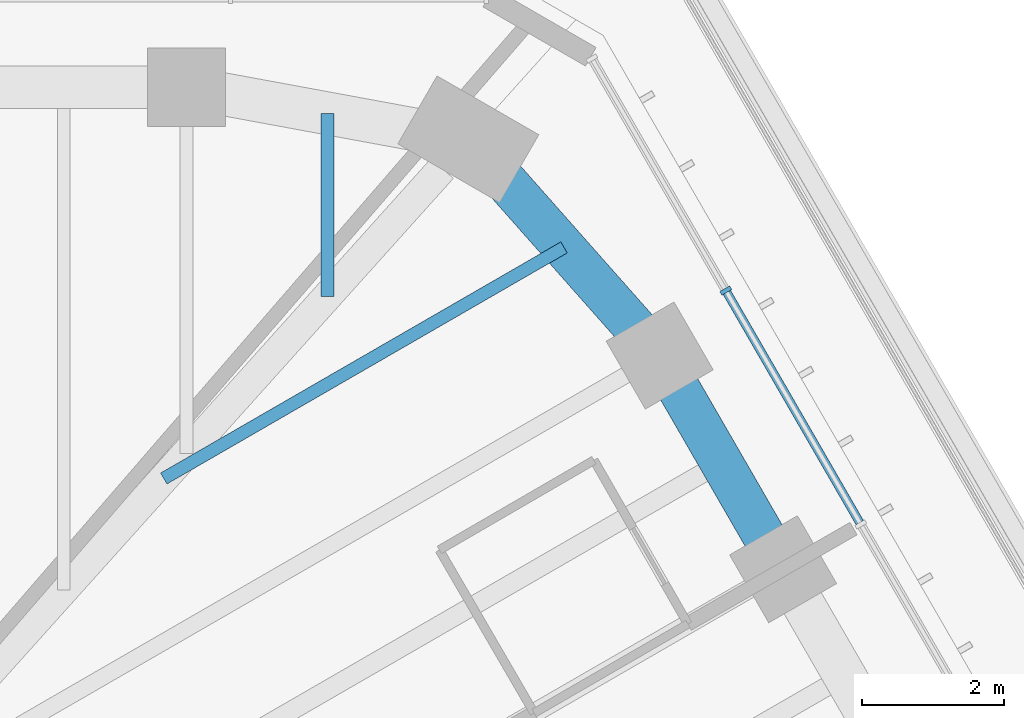
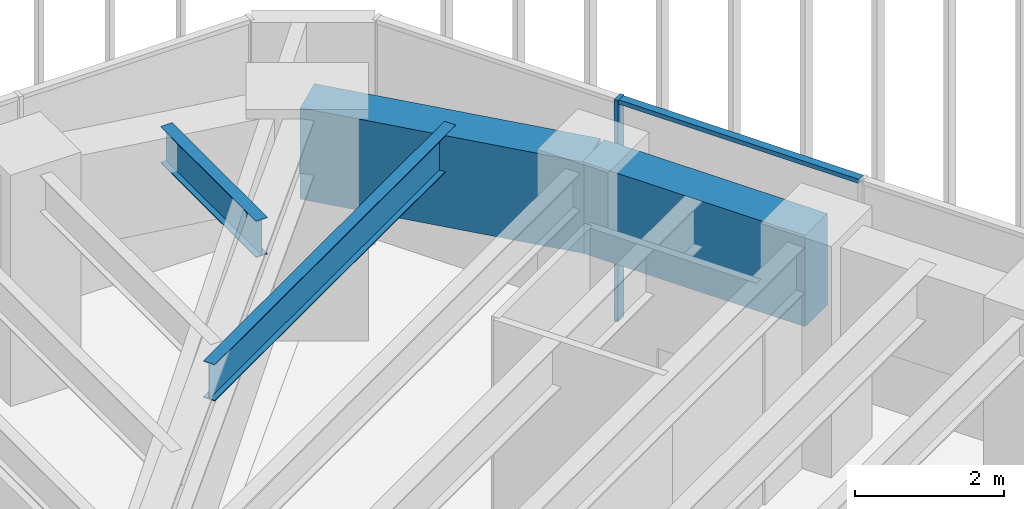
# One storey, part 104 of 127: 4 beams, 2 members, 1 element without a shape of its own.
"""IFC4 building model written with IfcOpenShell, lengths in metres."""

from ifc_helpers import new_model, si_unit, direction, frame, origin, origin_2d, place, context, subcontext, project, spatial, rectangle, i_section, extrude, material, material_profile, profile_set, type_object, element, aggregate, save


model = new_model("IFC4")

# Units and contexts
model_context = context("Model", 3, precision=1e-05, world=origin(), true_north=direction((0.0, 1.0)))
body_context = subcontext(model_context, "Body", "Model", "MODEL_VIEW")
ifc_project = project(units=[si_unit("LENGTHUNIT", "METRE"), si_unit("AREAUNIT", "SQUARE_METRE"), si_unit("VOLUMEUNIT", "CUBIC_METRE"), si_unit("PLANEANGLEUNIT", "RADIAN"), si_unit("MASSUNIT", "GRAM", prefix="KILO")], contexts=[model_context])

# Site, building, storey
site_placement = place(None, origin())
site = spatial("IfcSite", under=ifc_project, at=site_placement, CompositionType="ELEMENT")
building_placement = place(site_placement, origin())
building = spatial("IfcBuilding", under=site, at=building_placement, Name="Sandreach Pilgrim Tower", CompositionType="ELEMENT")
storey_placement = place(building_placement, frame((0.0, 0.0, 257.0)))
storey = spatial("IfcBuildingStorey", under=building, at=storey_placement, Name="L64", CompositionType="ELEMENT", Elevation=257.0)

# Curtain wall, members
ifc_material_1 = material(Name="Aluminium framed curtain wall", Category="aluminium")
curtain_wall_type = type_object("IfcCurtainWallType", Name="Suite tower curtain wall", PredefinedType="NOTDEFINED", material=ifc_material_1)
curtain_wall_placement = place(storey_placement, origin())
curtain_wall = element("IfcCurtainWall", 1, at=curtain_wall_placement, inside=storey, type_object=curtain_wall_type, Name="CW-4 L64 NE", PredefinedType="NOTDEFINED")
ifc_material_2 = material(Name="Aluminium extrusion", Category="aluminium")
ifc_material_profile_1 = material_profile(ifc_material_2, rectangle(XDim=0.06005859375, YDim=0.159912109375, at=origin_2d()), Name="CW-4M 60X160")
ifc_profile_set_1 = profile_set([ifc_material_profile_1], Name="Aluminium extrusion")
member_type_1 = type_object("IfcMemberType", Name="CW-4 mullion", PredefinedType="MULLION", material=ifc_profile_set_1)
member_1_placement = place(storey_placement, frame((19.6318359375, 15.712646484375, 0.0), z_axis=(0.0, 0.0, 1.0), x_axis=(0.5, -0.866025403784, 0.0)))
member_1 = element("IfcMember", 2, at=member_1_placement, type_object=member_type_1, Name="CW-4 mullion 2", PredefinedType="MULLION", context=body_context, shape_type="SweptSolid", body=[
    extrude(rectangle(XDim=0.06005859375, YDim=0.159912109375, at=origin_2d()), origin(), (0.0, 0.0, 1.0), 3.639892578125),
])
ifc_material_3 = material(Name="Aluminium extrusion", Category="aluminium")
ifc_material_profile_2 = material_profile(ifc_material_3, rectangle(XDim=0.1201171875, YDim=0.070068359375, at=origin_2d()), Name="CW-4T 120X70")
ifc_profile_set_2 = profile_set([ifc_material_profile_2], Name="Aluminium extrusion")
member_type_2 = type_object("IfcMemberType", Name="CW-4 transom", PredefinedType="USERDEFINED", material=ifc_profile_set_2)
member_2_placement = place(storey_placement, frame((19.646728515625, 15.686767578125, 3.60498046875), z_axis=(0.500030151002, -0.866007995396, 0.0), x_axis=(0.866007995396, 0.500030151002, 0.0)))
member_2 = element("IfcMember", 3, at=member_2_placement, type_object=member_type_2, Name="CW-4 head transom 2", ObjectType="TRANSOM", PredefinedType="USERDEFINED", context=body_context, shape_type="SweptSolid", body=[
    extrude(rectangle(XDim=0.1201171875, YDim=0.070068359375, at=origin_2d()), origin(), (0.0, 0.0, 1.0), 3.731689453125),
])
aggregate(curtain_wall, [member_1, member_2])

# Beams
ifc_material_4 = material(Name="Steel ASTM A992 Grade 50", Category="steel")
ifc_material_profile_3 = material_profile(ifc_material_4, i_section(OverallWidth=0.1787109375, OverallDepth=0.60205078125, WebThickness=0.010986328125, FlangeThickness=0.014892578125, at=origin_2d()), Name="W24X62")
ifc_profile_set_3 = profile_set([ifc_material_profile_3], Name="Steel ASTM A992 Grade 50")
beam_type_1 = type_object("IfcBeamType", Name="Floor beam W24X62", PredefinedType="BEAM", material=ifc_profile_set_3)
beam_1_placement = place(storey_placement, frame((14.037109375, 18.201904296875, 3.339111328125), z_axis=(0.0, -1.0, 0.0), x_axis=(1.0, 0.0, 0.0)))
element("IfcBeam", 4, at=beam_1_placement, inside=storey, type_object=beam_type_1, Name="BM L64 FM08", PredefinedType="BEAM", context=body_context, shape_type="SweptSolid", body=[
    extrude(i_section(OverallWidth=0.1787109375, OverallDepth=0.60205078125, WebThickness=0.010986328125, FlangeThickness=0.014892578125, at=origin_2d()), origin(), (0.0, 0.0, 1.0), 2.5693359375),
])
beam_2_placement = place(storey_placement, frame((17.360107421875, 16.31884765625, 3.339111328125), z_axis=(-0.866023980233, -0.500002465655, 0.0), x_axis=(0.500002465655, -0.866023980233, 0.0)))
element("IfcBeam", 5, at=beam_2_placement, inside=storey, type_object=beam_type_1, Name="BM L64 FM09", PredefinedType="BEAM", context=body_context, shape_type="SweptSolid", body=[
    extrude(i_section(OverallWidth=0.1787109375, OverallDepth=0.60205078125, WebThickness=0.010986328125, FlangeThickness=0.014892578125, at=origin_2d()), origin(), (0.0, 0.0, 1.0), 6.49072265625),
])
ifc_material_5 = material(Name="Concrete 10000 psi", Category="concrete")
ifc_material_profile_4 = material_profile(ifc_material_5, rectangle(XDim=0.60009765625, YDim=1.5, at=origin_2d()), Name="RC600X1500")
ifc_profile_set_4 = profile_set([ifc_material_profile_4], Name="Concrete 10000 psi")
beam_type_2 = type_object("IfcBeamType", Name="Spandrel beam RC600X1500", PredefinedType="SPANDREL", material=ifc_profile_set_4)
beam_3_placement = place(storey_placement, frame((16.0166015625, 17.837158203125, 2.889892578125), z_axis=(0.662650525414, -0.748928755736, 0.0), x_axis=(0.748928755736, 0.662650525414, 0.0)))
element("IfcBeam", 6, at=beam_3_placement, inside=storey, type_object=beam_type_2, Name="BM L64 SP09", PredefinedType="SPANDREL", context=body_context, shape_type="SweptSolid", body=[
    extrude(rectangle(XDim=0.60009765625, YDim=1.5, at=origin_2d()), origin(), (0.0, 0.0, 1.0), 4.054931640625),
])
beam_4_placement = place(storey_placement, frame((18.70361328125, 14.80029296875, 2.889892578125), z_axis=(0.500033451825, -0.866006089503, 0.0), x_axis=(0.866006089503, 0.500033451825, 0.0)))
element("IfcBeam", 7, at=beam_4_placement, inside=storey, type_object=beam_type_2, Name="BM L64 SP10", PredefinedType="SPANDREL", context=body_context, shape_type="SweptSolid", body=[
    extrude(rectangle(XDim=0.60009765625, YDim=1.5, at=origin_2d()), origin(), (0.0, 0.0, 1.0), 3.465576171875),
])

save(model, "model.ifc")
